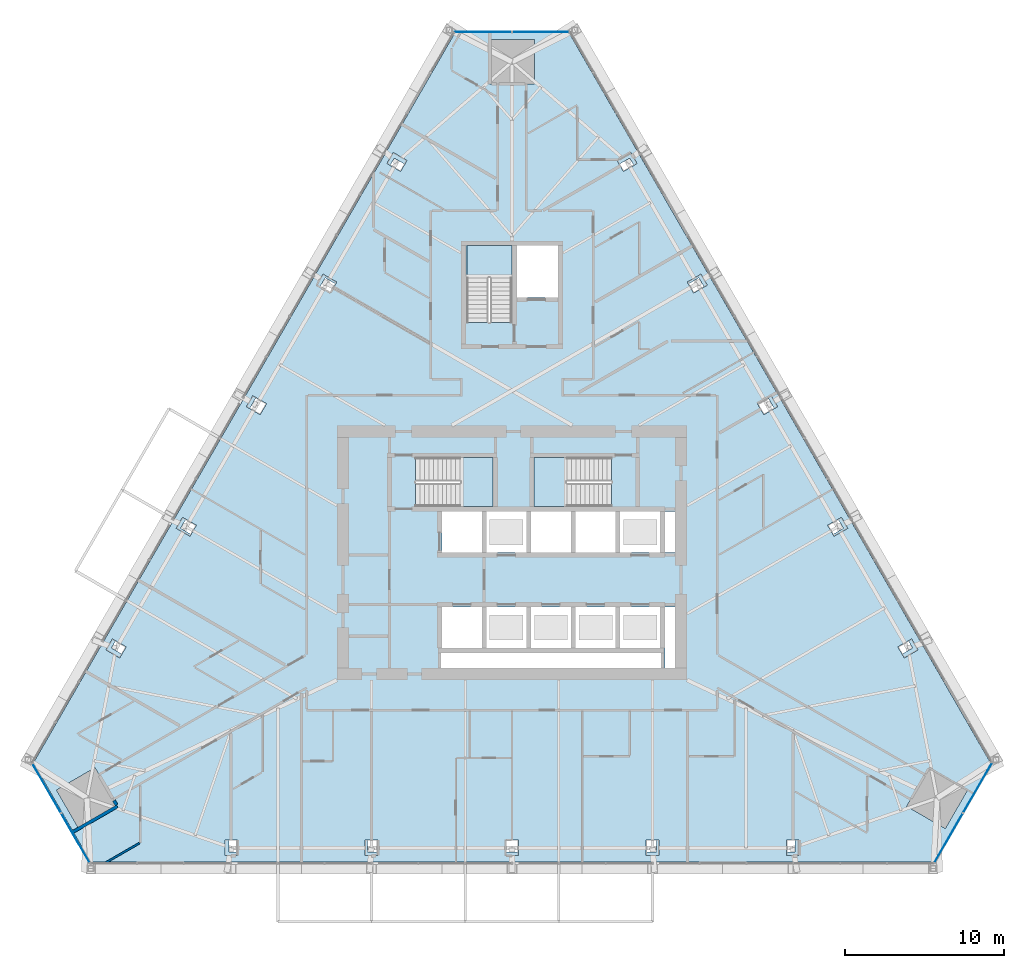
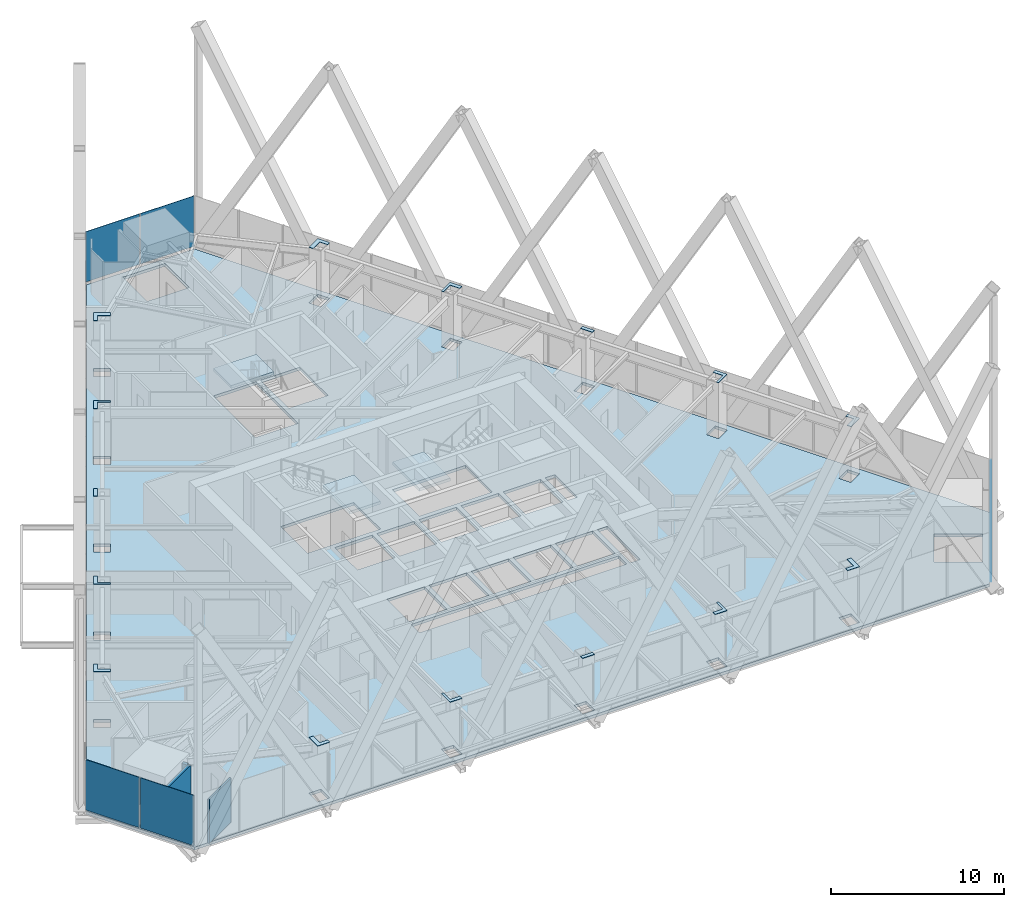
# One storey, part 12 of 19: 21 plates, 4 slabs, 3 walls, 6 elements without a shape of their own.
"""IFC4 building model written with IfcOpenShell, lengths in metres."""

from ifc_helpers import new_model, si_unit, direction, frame, frame_2d, origin, place, context, subcontext, project, spatial, polyline, rectangle, outline, extrude, material, layer, layer_set, type_object, element, aggregate, save


model = new_model("IFC4")

# Units and contexts
model_context = context("Model", 3, precision=1e-05, world=origin(), true_north=direction((0.0, 1.0)))
body_context = subcontext(model_context, "Body", "Model", "MODEL_VIEW")
ifc_project = project(units=[si_unit("LENGTHUNIT", "METRE"), si_unit("AREAUNIT", "SQUARE_METRE"), si_unit("VOLUMEUNIT", "CUBIC_METRE"), si_unit("PLANEANGLEUNIT", "RADIAN"), si_unit("MASSUNIT", "GRAM", prefix="KILO")], contexts=[model_context])

# Site, building, storey
site_placement = place(None, origin())
site = spatial("IfcSite", under=ifc_project, at=site_placement, CompositionType="ELEMENT")
building_placement = place(site_placement, origin())
building = spatial("IfcBuilding", under=site, at=building_placement, Name="Firuza Gate Tower and Library", CompositionType="ELEMENT")
storey_placement = place(building_placement, frame((0.0, 0.0, 187.0)))
storey = spatial("IfcBuildingStorey", under=building, at=storey_placement, Name="L43", CompositionType="ELEMENT", Elevation=187.0)

# Plates
ifc_material_1 = material(Name="Steel S355", Category="steel")
ifc_layer_1 = layer(ifc_material_1, 0.030029296875)
ifc_layer_set_1 = layer_set([ifc_layer_1], Name="Column infill plate 30 Steel S355")
plate_type_1 = type_object("IfcPlateType", Name="Column infill plate 30 Steel S355", PredefinedType="SHEET", material=ifc_layer_set_1)
placement_1 = place(storey_placement, frame((0.0, 0.0, 3.89990234375)))
element("IfcPlate", 1, at=placement_1, inside=storey, type_object=plate_type_1, Name="Infill plate L43:S1", PredefinedType="SHEET", context=body_context, shape_type="SweptSolid", body=[
    extrude(outline(polyline([(57.752197265625, 55.959716796875), (57.752197265625, 56.198974609375), (57.228515625, 56.198974609375), (57.228515625, 56.959716796875), (56.952392578125, 56.959716796875), (56.952392578125, 55.959716796875), (57.752197265625, 55.959716796875)])), origin(), (0.0, 0.0, 1.0), 0.030029296875),
])
element("IfcPlate", 2, at=placement_1, inside=storey, type_object=plate_type_1, Name="Infill plate L43:S2", PredefinedType="SHEET", context=body_context, shape_type="SweptSolid", body=[
    extrude(outline(polyline([(66.576171875, 55.959716796875), (66.576171875, 56.198974609375), (65.914306640625, 56.198974609375), (65.914306640625, 56.959716796875), (65.776123046875, 56.959716796875), (65.776123046875, 55.959716796875), (66.576171875, 55.959716796875)])), origin(), (0.0, 0.0, 1.0), 0.030029296875),
])
element("IfcPlate", 3, at=placement_1, inside=storey, type_object=plate_type_1, Name="Infill plate L43:S3", PredefinedType="SHEET", context=body_context, shape_type="SweptSolid", body=[
    extrude(outline(polyline([(75.39990234375, 55.959716796875), (75.39990234375, 56.198974609375), (74.60009765625, 56.198974609375), (74.60009765625, 55.959716796875), (75.39990234375, 55.959716796875)])), origin(), (0.0, 0.0, 1.0), 0.030029296875),
])
element("IfcPlate", 4, at=placement_1, inside=storey, type_object=plate_type_1, Name="Infill plate L43:S4", PredefinedType="SHEET", context=body_context, shape_type="SweptSolid", body=[
    extrude(outline(polyline([(84.223876953125, 56.959716796875), (84.085693359375, 56.959716796875), (84.085693359375, 56.198974609375), (83.423828125, 56.198974609375), (83.423828125, 55.959716796875), (84.223876953125, 55.959716796875), (84.223876953125, 56.959716796875)])), origin(), (0.0, 0.0, 1.0), 0.030029296875),
])
element("IfcPlate", 5, at=placement_1, inside=storey, type_object=plate_type_1, Name="Infill plate L43:S5", PredefinedType="SHEET", context=body_context, shape_type="SweptSolid", body=[
    extrude(outline(polyline([(93.047607421875, 56.959716796875), (92.771484375, 56.959716796875), (92.771484375, 56.198974609375), (92.247802734375, 56.198974609375), (92.247802734375, 55.959716796875), (93.047607421875, 55.959716796875), (93.047607421875, 56.959716796875)])), origin(), (0.0, 0.0, 1.0), 0.030029296875),
])
element("IfcPlate", 6, at=placement_1, inside=storey, type_object=plate_type_1, Name="Infill plate L43:E1", PredefinedType="SHEET", context=body_context, shape_type="SweptSolid", body=[
    extrude(outline(polyline([(100.11328125, 69.583251953125), (99.906005859375, 69.463623046875), (100.16796875, 69.010009765625), (99.509033203125, 68.62939453125), (99.647216796875, 68.390380859375), (100.51318359375, 68.890380859375), (100.11328125, 69.583251953125)])), origin(), (0.0, 0.0, 1.0), 0.030029296875),
])
element("IfcPlate", 7, at=placement_1, inside=storey, type_object=plate_type_1, Name="Infill plate L43:E2", PredefinedType="SHEET", context=body_context, shape_type="SweptSolid", body=[
    extrude(outline(polyline([(95.701416015625, 77.224853515625), (95.494140625, 77.105224609375), (95.8251953125, 76.531982421875), (95.166259765625, 76.151611328125), (95.2353515625, 76.031982421875), (96.101318359375, 76.531982421875), (95.701416015625, 77.224853515625)])), origin(), (0.0, 0.0, 1.0), 0.030029296875),
])
element("IfcPlate", 8, at=placement_1, inside=storey, type_object=plate_type_1, Name="Infill plate L43:E3", PredefinedType="SHEET", context=body_context, shape_type="SweptSolid", body=[
    extrude(outline(polyline([(90.42333984375, 84.366455078125), (90.42333984375, 84.366455078125), (91.082275390625, 84.7470703125), (91.482177734375, 84.05419921875), (91.689453125, 84.173828125), (91.289306640625, 84.866455078125), (90.42333984375, 84.366455078125)])), origin(), (0.0, 0.0, 1.0), 0.030029296875),
])
element("IfcPlate", 9, at=placement_1, inside=storey, type_object=plate_type_1, Name="Infill plate L43:E4", PredefinedType="SHEET", context=body_context, shape_type="SweptSolid", body=[
    extrude(outline(polyline([(86.011474609375, 92.00830078125), (86.08056640625, 91.888671875), (86.7392578125, 92.26904296875), (87.0703125, 91.69580078125), (87.27734375, 91.8154296875), (86.87744140625, 92.50830078125), (86.011474609375, 92.00830078125)])), origin(), (0.0, 0.0, 1.0), 0.030029296875),
])
element("IfcPlate", 10, at=placement_1, inside=storey, type_object=plate_type_1, Name="Infill plate L43:E5", PredefinedType="SHEET", context=body_context, shape_type="SweptSolid", body=[
    extrude(outline(polyline([(81.599609375, 99.64990234375), (81.737548828125, 99.410888671875), (82.396484375, 99.791259765625), (82.658447265625, 99.337646484375), (82.865478515625, 99.45703125), (82.465576171875, 100.14990234375), (81.599609375, 99.64990234375)])), origin(), (0.0, 0.0, 1.0), 0.030029296875),
])
element("IfcPlate", 11, at=placement_1, inside=storey, type_object=plate_type_1, Name="Infill plate L43:W1", PredefinedType="SHEET", context=body_context, shape_type="SweptSolid", body=[
    extrude(outline(polyline([(67.134521484375, 99.45703125), (67.341552734375, 99.337646484375), (67.603515625, 99.791259765625), (68.262451171875, 99.410888671875), (68.400390625, 99.64990234375), (67.534423828125, 100.14990234375), (67.134521484375, 99.45703125)])), origin(), (0.0, 0.0, 1.0), 0.030029296875),
])
element("IfcPlate", 12, at=placement_1, inside=storey, type_object=plate_type_1, Name="Infill plate L43:W2", PredefinedType="SHEET", context=body_context, shape_type="SweptSolid", body=[
    extrude(outline(polyline([(62.72265625, 91.8154296875), (62.9296875, 91.69580078125), (63.2607421875, 92.26904296875), (63.91943359375, 91.888671875), (63.988525390625, 92.00830078125), (63.12255859375, 92.50830078125), (62.72265625, 91.8154296875)])), origin(), (0.0, 0.0, 1.0), 0.030029296875),
])
element("IfcPlate", 13, at=placement_1, inside=storey, type_object=plate_type_1, Name="Infill plate L43:W3", PredefinedType="SHEET", context=body_context, shape_type="SweptSolid", body=[
    extrude(outline(polyline([(58.310546875, 84.173828125), (58.517822265625, 84.05419921875), (58.917724609375, 84.7470703125), (59.57666015625, 84.366455078125), (59.57666015625, 84.366455078125), (58.710693359375, 84.866455078125), (58.310546875, 84.173828125)])), origin(), (0.0, 0.0, 1.0), 0.030029296875),
])
element("IfcPlate", 14, at=placement_1, inside=storey, type_object=plate_type_1, Name="Infill plate L43:W4", PredefinedType="SHEET", context=body_context, shape_type="SweptSolid", body=[
    extrude(outline(polyline([(54.7646484375, 76.031982421875), (54.833740234375, 76.151611328125), (54.1748046875, 76.531982421875), (54.505859375, 77.105224609375), (54.298583984375, 77.224853515625), (53.898681640625, 76.531982421875), (54.7646484375, 76.031982421875)])), origin(), (0.0, 0.0, 1.0), 0.030029296875),
])
element("IfcPlate", 15, at=placement_1, inside=storey, type_object=plate_type_1, Name="Infill plate L43:W5", PredefinedType="SHEET", context=body_context, shape_type="SweptSolid", body=[
    extrude(outline(polyline([(50.352783203125, 68.390380859375), (50.490966796875, 68.62939453125), (49.83203125, 69.010009765625), (50.093994140625, 69.463623046875), (49.88671875, 69.583251953125), (49.48681640625, 68.890380859375), (50.352783203125, 68.390380859375)])), origin(), (0.0, 0.0, 1.0), 0.030029296875),
])

# Slab
ifc_material_2 = material(Name="Concrete C40/50", Category="concrete")
ifc_layer_2 = layer(ifc_material_2, 0.199951171875)
ifc_layer_set_2 = layer_set([ifc_layer_2], Name="Composite floor slab 200 C40/50")
slab_type_1 = type_object("IfcSlabType", Name="Composite floor slab 200 C40/50", PredefinedType="FLOOR", material=ifc_layer_set_2)
slab_1_placement = place(storey_placement, frame((0.0, 0.0, -0.199951171875)))
element("IfcSlab", 16, at=slab_1_placement, inside=storey, type_object=slab_type_1, Name="Floor slab L43", PredefinedType="FLOOR", context=body_context, shape_type="SweptSolid", body=[
    extrude(outline(polyline([(44.928466796875, 61.795166015625), (48.5283203125, 55.559814453125), (101.4716796875, 55.559814453125), (105.071533203125, 61.795166015625), (78.60009765625, 107.645263671875), (71.39990234375, 107.645263671875), (44.928466796875, 61.795166015625)]), holes=[polyline([(56.952392578125, 55.959716796875), (56.952392578125, 56.959716796875), (57.752197265625, 56.959716796875), (57.752197265625, 55.959716796875), (56.952392578125, 55.959716796875)]), polyline([(74.60009765625, 55.959716796875), (74.60009765625, 56.959716796875), (75.39990234375, 56.959716796875), (75.39990234375, 55.959716796875), (74.60009765625, 55.959716796875)]), polyline([(65.776123046875, 55.959716796875), (65.776123046875, 56.959716796875), (66.576171875, 56.959716796875), (66.576171875, 55.959716796875), (65.776123046875, 55.959716796875)]), polyline([(46.374755859375, 60.08984375), (48.7998046875, 61.48974609375), (50.19970703125, 59.06494140625), (47.77490234375, 57.6650390625), (46.374755859375, 60.08984375)]), polyline([(84.35009765625, 67.75), (70.550048828125, 67.75), (70.550048828125, 68.699951171875), (84.35009765625, 68.699951171875), (84.35009765625, 67.75)]), polyline([(49.88671875, 69.583251953125), (50.752685546875, 69.083251953125), (50.352783203125, 68.390380859375), (49.48681640625, 68.890380859375), (49.88671875, 69.583251953125)]), polyline([(73.10009765625, 69.0), (70.60009765625, 69.0), (70.60009765625, 71.60009765625), (73.10009765625, 71.60009765625), (73.10009765625, 69.0)]), polyline([(75.89990234375, 69.0), (73.39990234375, 69.0), (73.39990234375, 71.60009765625), (75.89990234375, 71.60009765625), (75.89990234375, 69.0)]), polyline([(73.10009765625, 75.0), (70.60009765625, 75.0), (70.60009765625, 77.60009765625), (73.10009765625, 77.60009765625), (73.10009765625, 75.0)]), polyline([(75.89990234375, 75.0), (73.39990234375, 75.0), (73.39990234375, 77.60009765625), (75.89990234375, 77.60009765625), (75.89990234375, 75.0)]), polyline([(54.298583984375, 77.224853515625), (55.164794921875, 76.724853515625), (54.7646484375, 76.031982421875), (53.898681640625, 76.531982421875), (54.298583984375, 77.224853515625)]), polyline([(73.81005859375, 77.89990234375), (68.9404296875, 77.89990234375), (68.9404296875, 80.97998046875), (73.81005859375, 80.97998046875), (73.81005859375, 77.89990234375)]), polyline([(58.710693359375, 84.866455078125), (59.57666015625, 84.366455078125), (59.1767578125, 83.673828125), (58.310546875, 84.173828125), (58.710693359375, 84.866455078125)]), polyline([(72.159912109375, 89.470458984375), (72.159912109375, 94.300048828125), (75.0, 94.300048828125), (75.0, 89.470458984375), (72.159912109375, 89.470458984375)]), polyline([(63.12255859375, 92.50830078125), (63.988525390625, 92.00830078125), (63.588623046875, 91.3154296875), (62.72265625, 91.8154296875), (63.12255859375, 92.50830078125)]), polyline([(75.300048828125, 91.050048828125), (75.300048828125, 94.300048828125), (77.89990234375, 94.300048828125), (77.89990234375, 91.050048828125), (75.300048828125, 91.050048828125)]), polyline([(68.400390625, 99.64990234375), (68.00048828125, 98.95703125), (67.134521484375, 99.45703125), (67.534423828125, 100.14990234375), (68.400390625, 99.64990234375)]), polyline([(76.39990234375, 107.2451171875), (76.39990234375, 104.4453125), (73.60009765625, 104.4453125), (73.60009765625, 107.2451171875), (76.39990234375, 107.2451171875)]), polyline([(92.247802734375, 55.959716796875), (92.247802734375, 56.959716796875), (93.047607421875, 56.959716796875), (93.047607421875, 55.959716796875), (92.247802734375, 55.959716796875)]), polyline([(83.423828125, 55.959716796875), (83.423828125, 56.959716796875), (84.223876953125, 56.959716796875), (84.223876953125, 55.959716796875), (83.423828125, 55.959716796875)]), polyline([(102.22509765625, 57.6650390625), (99.80029296875, 59.06494140625), (101.2001953125, 61.48974609375), (103.625244140625, 60.08984375), (102.22509765625, 57.6650390625)]), polyline([(100.51318359375, 68.890380859375), (99.647216796875, 68.390380859375), (99.247314453125, 69.083251953125), (100.11328125, 69.583251953125), (100.51318359375, 68.890380859375)]), polyline([(85.25, 67.75), (84.60009765625, 67.75), (84.60009765625, 71.60009765625), (85.25, 71.60009765625), (85.25, 67.75)]), polyline([(81.5, 69.0), (79.0, 69.0), (79.0, 71.60009765625), (81.5, 71.60009765625), (81.5, 69.0)]), polyline([(81.800048828125, 69.0), (81.800048828125, 71.60009765625), (84.300048828125, 71.60009765625), (84.300048828125, 69.0), (81.800048828125, 69.0)]), polyline([(76.199951171875, 69.0), (76.199951171875, 71.60009765625), (78.699951171875, 71.60009765625), (78.699951171875, 69.0), (76.199951171875, 69.0)]), polyline([(81.5, 75.0), (79.0, 75.0), (79.0, 77.60009765625), (81.5, 77.60009765625), (81.5, 75.0)]), polyline([(84.300048828125, 75.0), (81.800048828125, 75.0), (81.800048828125, 77.60009765625), (84.300048828125, 77.60009765625), (84.300048828125, 75.0)]), polyline([(85.25, 75.0), (84.60009765625, 75.0), (84.60009765625, 77.60009765625), (85.25, 77.60009765625), (85.25, 75.0)]), polyline([(78.699951171875, 75.0), (76.199951171875, 75.0), (76.199951171875, 77.60009765625), (78.699951171875, 77.60009765625), (78.699951171875, 75.0)]), polyline([(96.101318359375, 76.531982421875), (95.2353515625, 76.031982421875), (94.835205078125, 76.724853515625), (95.701416015625, 77.224853515625), (96.101318359375, 76.531982421875)]), polyline([(81.259521484375, 77.89990234375), (76.389892578125, 77.89990234375), (76.389892578125, 80.97998046875), (81.259521484375, 80.97998046875), (81.259521484375, 77.89990234375)]), polyline([(91.689453125, 84.173828125), (90.8232421875, 83.673828125), (90.42333984375, 84.366455078125), (91.289306640625, 84.866455078125), (91.689453125, 84.173828125)]), polyline([(86.411376953125, 91.3154296875), (86.011474609375, 92.00830078125), (86.87744140625, 92.50830078125), (87.27734375, 91.8154296875), (86.411376953125, 91.3154296875)]), polyline([(81.99951171875, 98.95703125), (81.599609375, 99.64990234375), (82.465576171875, 100.14990234375), (82.865478515625, 99.45703125), (81.99951171875, 98.95703125)])]), origin(), (0.0, 0.0, 1.0), 0.199951171875),
])

# Curtain wall, plates
ifc_material_3 = material(Name="Aluminium 6063-T6", Category="aluminium")
ifc_layer_3 = layer(ifc_material_3, 0.14990234375)
ifc_layer_set_3 = layer_set([ifc_layer_3], Name="Corner curtain wall, chamfers")
curtain_wall_type = type_object("IfcCurtainWallType", Name="Corner curtain wall, chamfers", PredefinedType="NOTDEFINED", material=ifc_layer_set_3)
placement_2 = place(storey_placement, origin())
curtain_wall_1 = element("IfcCurtainWall", 17, at=placement_2, inside=storey, type_object=curtain_wall_type, Name="CW4 L43 SE corner", PredefinedType="NOTDEFINED")
ifc_material_4 = material(Name="Fritted glass", Category="glass")
ifc_layer_4 = layer(ifc_material_4, 0.030029296875)
ifc_layer_set_4 = layer_set([ifc_layer_4], Name="Fritted glass unit, corners")
plate_type_2 = type_object("IfcPlateType", Name="Fritted glass unit, corners", PredefinedType="CURTAIN_PANEL", material=ifc_layer_set_4)
plate_16_placement = place(storey_placement, frame((101.5478515625, 55.511962890625, 0.14990234375), z_axis=(0.865999591991, -0.500044704672, 0.0), x_axis=(0.500044704672, 0.865999591991, 0.0)))
plate_16 = element("IfcPlate", 18, at=plate_16_placement, type_object=plate_type_2, Name="Glass unit", PredefinedType="CURTAIN_PANEL", context=body_context, shape_type="SweptSolid", body=[
    extrude(outline(polyline([(0.0, 0.0), (3.563157982880169, 0.0), (3.563157982880169, 3.550048828125), (0.0, 3.550048828125), (0.0, 0.0)])), origin(), (0.0, 0.0, -1.0), 0.030029296875),
])
plate_17_placement = place(storey_placement, frame((103.36962890625, 58.6669921875, 0.14990234375), z_axis=(0.866046390552, -0.49996364809, 0.0), x_axis=(0.49996364809, 0.866046390552, 0.0)))
plate_17 = element("IfcPlate", 19, at=plate_17_placement, type_object=plate_type_2, Name="Glass unit", PredefinedType="CURTAIN_PANEL", context=body_context, shape_type="SweptSolid", body=[
    extrude(outline(polyline([(0.0, 0.0), (3.563247342942594, 0.0), (3.563247342942594, 3.550048828125), (0.0, 3.550048828125), (0.0, 0.0)])), origin(), (0.0, 0.0, -1.0), 0.030029296875),
])
aggregate(curtain_wall_1, [plate_16, plate_17])

curtain_wall_2 = element("IfcCurtainWall", 20, at=placement_2, inside=storey, type_object=curtain_wall_type, Name="CW4 L43 N corner", PredefinedType="NOTDEFINED")
plate_18_placement = place(storey_placement, frame((78.603271484375, 107.735107421875, 0.14990234375), z_axis=(0.0, 1.0, 0.0), x_axis=(-1.0, 0.0, 0.0)))
plate_18 = element("IfcPlate", 21, at=plate_18_placement, type_object=plate_type_2, Name="Glass unit", PredefinedType="CURTAIN_PANEL", context=body_context, shape_type="SweptSolid", body=[
    extrude(outline(polyline([(0.0, 0.0), (3.563232421875, 0.0), (3.563232421875, 3.550048828125), (0.0, 3.550048828125), (0.0, 0.0)])), origin(), (0.0, 0.0, -1.0), 0.030029296875),
])
plate_19_placement = place(storey_placement, frame((74.9599609375, 107.735107421875, 0.14990234375), z_axis=(0.0, 1.0, 0.0), x_axis=(-1.0, 0.0, 0.0)))
plate_19 = element("IfcPlate", 22, at=plate_19_placement, type_object=plate_type_2, Name="Glass unit", PredefinedType="CURTAIN_PANEL", context=body_context, shape_type="SweptSolid", body=[
    extrude(outline(polyline([(0.0, 0.0), (3.563232421875, 0.0), (3.563232421875, 3.550048828125), (0.0, 3.550048828125), (0.0, 0.0)])), origin(), (0.0, 0.0, -1.0), 0.030029296875),
])
aggregate(curtain_wall_2, [plate_18, plate_19])

curtain_wall_3 = element("IfcCurtainWall", 23, at=placement_2, inside=storey, type_object=curtain_wall_type, Name="CW4 L43 SW corner", PredefinedType="NOTDEFINED")
plate_20_placement = place(storey_placement, frame((44.848876953125, 61.7529296875, 0.14990234375), z_axis=(-0.866046390552, -0.49996364809, 0.0), x_axis=(0.49996364809, -0.866046390552, 0.0)))
plate_20 = element("IfcPlate", 24, at=plate_20_placement, type_object=plate_type_2, Name="Glass unit", PredefinedType="CURTAIN_PANEL", context=body_context, shape_type="SweptSolid", body=[
    extrude(outline(polyline([(0.0, 0.0), (3.563247342942594, 0.0), (3.563247342942594, 3.550048828125), (0.0, 3.550048828125), (0.0, 0.0)])), origin(), (0.0, 0.0, -1.0), 0.030029296875),
])
plate_21_placement = place(storey_placement, frame((46.67041015625, 58.59765625, 0.14990234375), z_axis=(-0.865999591991, -0.500044704672, 0.0), x_axis=(0.500044704672, -0.865999591991, 0.0)))
plate_21 = element("IfcPlate", 25, at=plate_21_placement, type_object=plate_type_2, Name="Glass unit", PredefinedType="CURTAIN_PANEL", context=body_context, shape_type="SweptSolid", body=[
    extrude(outline(polyline([(0.0, 0.0), (3.563157982880169, 0.0), (3.563157982880169, 3.550048828125), (0.0, 3.550048828125), (0.0, 0.0)])), origin(), (0.0, 0.0, -1.0), 0.030029296875),
])
aggregate(curtain_wall_3, [plate_20, plate_21])

# Stair, slab
ifc_material_5 = material(Name="Concrete C35/45", Category="concrete")
stair_type_1 = type_object("IfcStairType", Name="Exit stair ST7", PredefinedType="HALF_TURN_STAIR", material=ifc_material_5)
stair_1 = element("IfcStair", 26, at=placement_2, inside=storey, type_object=stair_type_1, Name="L43 Stair ST1", PredefinedType="HALF_TURN_STAIR")
ifc_material_6 = material(Name="Concrete C35/45", Category="concrete")
ifc_layer_5 = layer(ifc_material_6, 0.199951171875)
ifc_layer_set_5 = layer_set([ifc_layer_5], Name="Stair landing 200")
slab_type_2 = type_object("IfcSlabType", Name="Stair landing 200", PredefinedType="LANDING", material=ifc_layer_set_5)
placement_3 = place(storey_placement, frame((0.0, 0.0, 1.75)))
slab_2 = element("IfcSlab", 27, at=placement_3, type_object=slab_type_2, Name="ST1 landing 1", PredefinedType="LANDING", context=body_context, shape_type="SweptSolid", body=[
    extrude(outline(polyline([(71.739990234375, 77.89990234375), (73.81005859375, 77.89990234375), (73.81005859375, 80.97998046875), (71.739990234375, 80.97998046875), (71.739990234375, 77.89990234375)])), origin(), (0.0, 0.0, 1.0), 0.199951171875),
])
aggregate(stair_1, [slab_2])

stair_2 = element("IfcStair", 28, at=placement_2, inside=storey, type_object=stair_type_1, Name="L43 Stair ST2", PredefinedType="HALF_TURN_STAIR")
slab_3 = element("IfcSlab", 29, at=placement_3, type_object=slab_type_2, Name="ST2 landing 1", PredefinedType="LANDING", context=body_context, shape_type="SweptSolid", body=[
    extrude(outline(polyline([(78.4599609375, 80.97998046875), (76.389892578125, 80.97998046875), (76.389892578125, 77.89990234375), (78.4599609375, 77.89990234375), (78.4599609375, 80.97998046875)])), origin(), (0.0, 0.0, 1.0), 0.199951171875),
])
aggregate(stair_2, [slab_3])

ifc_material_7 = material(Name="Concrete C35/45", Category="concrete")
stair_type_2 = type_object("IfcStairType", Name="Exit stair ST16", PredefinedType="HALF_TURN_STAIR", material=ifc_material_7)
stair_3 = element("IfcStair", 30, at=placement_2, inside=storey, type_object=stair_type_2, Name="L43 Stair ST3", PredefinedType="HALF_TURN_STAIR")
slab_4 = element("IfcSlab", 31, at=placement_3, type_object=slab_type_2, Name="ST3 landing 1", PredefinedType="LANDING", context=body_context, shape_type="SweptSolid", body=[
    extrude(outline(polyline([(75.0, 92.27001953125), (75.0, 94.300048828125), (72.159912109375, 94.300048828125), (72.159912109375, 92.27001953125), (75.0, 92.27001953125)])), origin(), (0.0, 0.0, 1.0), 0.199951171875),
])
aggregate(stair_3, [slab_4])

# Walls
ifc_material_8 = material(Name="Gypsum board partition")
ifc_layer_6 = layer(ifc_material_8, 0.199951171875)
ifc_layer_set_6 = layer_set([ifc_layer_6], Name="Demising wall 200 acoustic double stud")
wall_type_1 = type_object("IfcWallType", Name="Demising wall 200 acoustic double stud", PredefinedType="PARTITIONING", material=ifc_layer_set_6)
wall_1_placement = place(storey_placement, frame((47.37646484375, 57.43505859375, 0.0), z_axis=(0.0, 0.0, 1.0), x_axis=(0.866035906198, 0.499981808845, 0.0)))
element("IfcWall", 32, at=wall_1_placement, inside=storey, type_object=wall_type_1, Name="f:L43:w024", PredefinedType="PARTITIONING", context=body_context, shape_type="SweptSolid", body=[
    extrude(rectangle(XDim=3.25927734375, YDim=0.199951171875, at=frame_2d((1.629638671875, 0.0))), origin(), (0.0, 0.0, 1.0), 3.10009765625),
])
wall_2_placement = place(storey_placement, frame((50.149658203125, 59.152099609375, 0.0), z_axis=(0.0, 0.0, 1.0), x_axis=(-0.499939380126, 0.866060399857, 0.0)))
element("IfcWall", 33, at=wall_2_placement, inside=storey, type_object=wall_type_1, Name="f:L43:w082", PredefinedType="PARTITIONING", context=body_context, shape_type="SweptSolid", body=[
    extrude(rectangle(XDim=0.32470703125, YDim=0.199951171875, at=frame_2d((0.162353515625, 0.0))), origin(), (0.0, 0.0, 1.0), 3.10009765625),
])
ifc_material_9 = material(Name="Gypsum board partition")
ifc_layer_7 = layer(ifc_material_9, 0.1201171875)
ifc_layer_set_7 = layer_set([ifc_layer_7], Name="Wet-area partition 120 moisture-resistant board")
wall_type_2 = type_object("IfcWallType", Name="Wet-area partition 120 moisture-resistant board", PredefinedType="PARTITIONING", material=ifc_layer_set_7)
wall_3_placement = place(storey_placement, frame((49.42431640625, 55.499755859375, 0.0), z_axis=(0.0, 0.0, 1.0), x_axis=(0.866037780095, 0.499978562988, 0.0)))
element("IfcWall", 34, at=wall_3_placement, inside=storey, type_object=wall_type_2, Name="f:L43:w021", PredefinedType="PARTITIONING", context=body_context, shape_type="SweptSolid", body=[
    extrude(rectangle(XDim=2.5029296875, YDim=0.1201171875, at=frame_2d((1.25146484375, 0.0))), origin(), (0.0, 0.0, 1.0), 3.10009765625),
])

save(model, "model.ifc")
